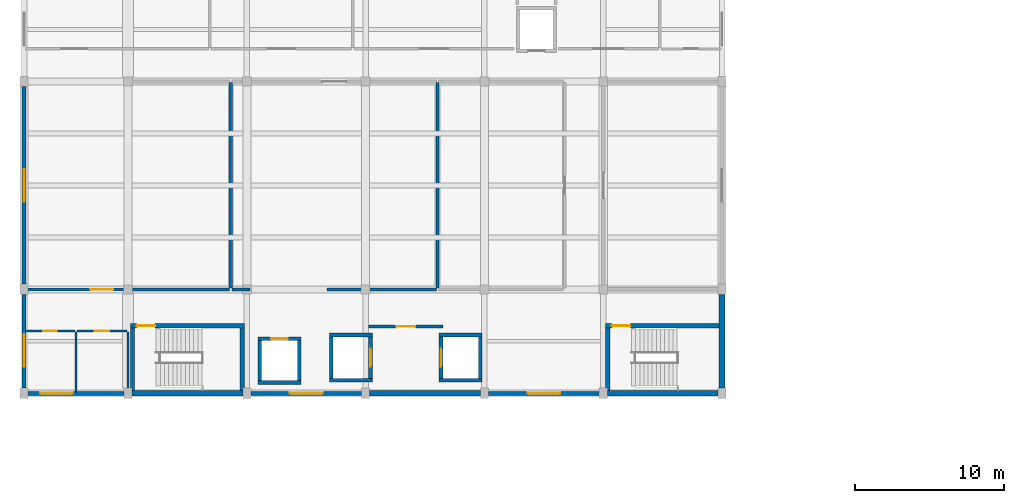
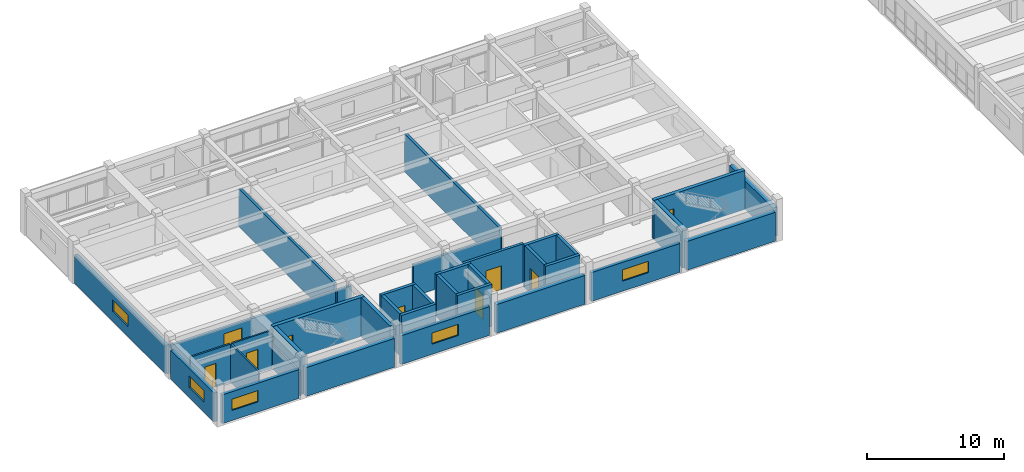
# One storey, part 10 of 17: 36 walls, 9 doors, 5 windows, 14 openings.
"""IFC4 building model written with IfcOpenShell, lengths in metres."""

from ifc_helpers import new_model, si_unit, direction, frame, frame_2d, origin, place, context, subcontext, project, spatial, rectangle, extrude, material, layer, layer_set, type_object, element, fill, save


model = new_model("IFC4")

# Units and contexts
model_context = context("Model", 3, precision=1e-05, world=origin(), true_north=direction((0.0, 1.0)))
body_context = subcontext(model_context, "Body", "Model", "MODEL_VIEW")
ifc_project = project(units=[si_unit("LENGTHUNIT", "METRE"), si_unit("AREAUNIT", "SQUARE_METRE"), si_unit("VOLUMEUNIT", "CUBIC_METRE"), si_unit("PLANEANGLEUNIT", "RADIAN"), si_unit("MASSUNIT", "GRAM", prefix="KILO")], contexts=[model_context])

# Site, building, storey
site_placement = place(None, origin())
site = spatial("IfcSite", under=ifc_project, at=site_placement, CompositionType="ELEMENT")
building_placement = place(site_placement, origin())
building = spatial("IfcBuilding", under=site, at=building_placement, Name="Naurynzar Civic Courthouse", CompositionType="ELEMENT")
storey_placement = place(building_placement, frame((0.0, 0.0, 29.550048828125)))
storey = spatial("IfcBuildingStorey", under=building, at=storey_placement, Name="L08", CompositionType="ELEMENT", Elevation=29.550048828125)

# Wall, opening, door
ifc_material_1 = material(Name="Acoustic Double-Stud Gypsum Partition")
ifc_layer_1 = layer(ifc_material_1, 0.2099609375)
ifc_layer_set_1 = layer_set([ifc_layer_1], Name="WL-ACOUSTIC-210")
wall_type_1 = type_object("IfcWallType", Name="WL-ACOUSTIC-210", PredefinedType="PARTITIONING", material=ifc_layer_set_1)
wall_1_placement = place(storey_placement, frame((62.080078125, 51.0, 0.0), z_axis=(0.0, 0.0, 1.0), x_axis=(1.0, 0.0, 0.0)))
wall_1 = element("IfcWall", 1, at=wall_1_placement, inside=storey, type_object=wall_type_1, Name="V2 interior partition L08.772", PredefinedType="PARTITIONING", context=body_context, shape_type="SweptSolid", body=[
    extrude(rectangle(XDim=13.760009765625, YDim=0.2099609375, at=frame_2d((6.8798828125, 0.0))), origin(), (0.0, 0.0, 1.0), 2.780029296875),
])
opening_1_placement = place(wall_1_placement, frame((4.37841796875, 0.0, 0.0)))
opening_1 = element("IfcOpeningElement", 2, at=opening_1_placement, cuts=wall_1, Name="Opening D-189", PredefinedType="OPENING", context=body_context, shape_type="SweptSolid", body=[
    extrude(rectangle(XDim=1.550048828125, YDim=2.25, at=frame_2d((0.77490234375, 1.125))), frame((0.0, 0.114990234375, 0.0), z_axis=(0.0, -1.0, 0.0), x_axis=(1.0, 0.0, 0.0)), (0.0, 0.0, 1.0), 0.22998046875),
])
ifc_material_2 = material(Name="Acoustic Oak Timber Grade A", Category="wood")
door_type_1 = type_object("IfcDoorType", Name="DR-SUITE-1550x2250", OperationType="DOUBLE_DOOR_SINGLE_SWING", PredefinedType="DOOR", material=ifc_material_2)
door_1_placement = place(opening_1_placement, origin())
door_1 = element("IfcDoor", 3, at=door_1_placement, inside=storey, type_object=door_type_1, Name="Interior door D-189 (Intellectual Property Courtroom 8A)", OperationType="DOUBLE_DOOR_SINGLE_SWING", OverallHeight=2.25, OverallWidth=1.550048828125, PredefinedType="DOOR", context=body_context, shape_type="SweptSolid", body=[
    extrude(rectangle(XDim=1.550048828125, YDim=2.25, at=frame_2d((0.77490234375, 1.125))), frame((0.0, 0.02490234375, 0.0), z_axis=(0.0, -1.0, 0.0), x_axis=(1.0, 0.0, 0.0)), (0.0, 0.0, 1.0), 0.050048828125),
])
fill(opening_1, door_1)

# Walls
ifc_material_3 = material(Name="Acoustic Double-Stud Gypsum Partition")
ifc_layer_2 = layer(ifc_material_3, 0.215087890625)
ifc_layer_set_2 = layer_set([ifc_layer_2], Name="WL-ACOUSTIC-215")
wall_type_2 = type_object("IfcWallType", Name="WL-ACOUSTIC-215", PredefinedType="PARTITIONING", material=ifc_layer_set_2)
wall_2_placement = place(storey_placement, frame((76.0, 51.0, 0.0), z_axis=(0.0, 0.0, 1.0), x_axis=(1.0, 0.0, 0.0)))
element("IfcWall", 4, at=wall_2_placement, inside=storey, type_object=wall_type_2, Name="V2 interior partition L08.773", PredefinedType="PARTITIONING", context=body_context, shape_type="SweptSolid", body=[
    extrude(rectangle(XDim=1.199951171875, YDim=0.215087890625, at=frame_2d((0.60009765625, 0.0))), origin(), (0.0, 0.0, 1.0), 2.780029296875),
])
wall_3_placement = place(storey_placement, frame((82.39990234375, 51.0, 0.0), z_axis=(0.0, 0.0, 1.0), x_axis=(1.0, 0.0, 0.0)))
element("IfcWall", 5, at=wall_3_placement, inside=storey, type_object=wall_type_2, Name="V2 interior partition L08.774", PredefinedType="PARTITIONING", context=body_context, shape_type="SweptSolid", body=[
    extrude(rectangle(XDim=7.360107421875, YDim=0.215087890625, at=frame_2d((3.68017578125, 0.0))), origin(), (0.0, 0.0, 1.0), 2.780029296875),
])
for number, where, z_axis, x_axis, name in (
    (6, (75.919921875, 51.080078125, 0.0), (0.0, 0.0, 1.0), (0.0, 1.0, 0.0), "V2 interior partition L08.792"),
    (7, (89.840087890625, 51.080078125, 0.0), (0.0, 0.0, 1.0), (0.0, 1.0, 0.0), "V2 interior partition L08.794"),
):
    element("IfcWall", number, at=place(storey_placement, frame(where, z_axis=z_axis, x_axis=x_axis)), inside=storey, type_object=wall_type_2, Name=name, PredefinedType="PARTITIONING", context=body_context, shape_type="SweptSolid", body=[
        extrude(rectangle(XDim=13.83984375, YDim=0.215087890625, at=frame_2d((6.919921875, 0.0))), origin(), (0.0, 0.0, 1.0), 3.389892578125),
    ])

# Wall, opening, door
ifc_material_4 = material(Name="Concrete C40/50", Category="concrete")
ifc_layer_3 = layer(ifc_material_4, 0.300048828125)
ifc_layer_set_3 = layer_set([ifc_layer_3], Name="WL-CORE-300")
wall_type_3 = type_object("IfcWallType", Name="WL-CORE-300", PredefinedType="SHEAR", material=ifc_layer_set_3)
wall_4_placement = place(storey_placement, frame((76.85009765625, 48.550048828125, 0.0), z_axis=(0.0, 0.0, 1.0), x_axis=(-1.0, 0.0, 0.0)))
wall_4 = element("IfcWall", 8, at=wall_4_placement, inside=storey, type_object=wall_type_3, Name="Stair ST-V2A enclosure wall north L08", PredefinedType="SHEAR", context=body_context, shape_type="SweptSolid", body=[
    extrude(rectangle(XDim=7.7001953125, YDim=0.300048828125, at=frame_2d((3.85009765625, 0.0))), origin(), (0.0, 0.0, 1.0), 3.469970703125),
])
opening_2_placement = place(wall_4_placement, frame((6.02490234375, 0.0, 0.0)))
opening_2 = element("IfcOpeningElement", 9, at=opening_2_placement, cuts=wall_4, Name="Opening SD-031", PredefinedType="OPENING", context=body_context, shape_type="SweptSolid", body=[
    extrude(rectangle(XDim=1.25, YDim=2.14990234375, at=frame_2d((0.625, 1.074951171875))), frame((0.0, 0.159912109375, 0.0), z_axis=(0.0, -1.0, 0.0), x_axis=(1.0, 0.0, 0.0)), (0.0, 0.0, 1.0), 0.320068359375),
])
ifc_material_5 = material(Name="Powder-Coated Galvanised Steel", Category="steel")
door_type_2 = type_object("IfcDoorType", Name="DR-STAIR-1250x2150", OperationType="NOTDEFINED", PredefinedType="DOOR", material=ifc_material_5)
door_2_placement = place(opening_2_placement, origin())
door_2 = element("IfcDoor", 10, at=door_2_placement, inside=storey, type_object=door_type_2, Name="Stair ST-V2A fire door L08", OperationType="SINGLE_SWING_LEFT", OverallHeight=2.14990234375, OverallWidth=1.25, PredefinedType="DOOR", context=body_context, shape_type="SweptSolid", body=[
    extrude(rectangle(XDim=1.25, YDim=2.14990234375, at=frame_2d((0.625, 1.074951171875))), frame((0.0, 0.02490234375, 0.0), z_axis=(0.0, -1.0, 0.0), x_axis=(1.0, 0.0, 0.0)), (0.0, 0.0, 1.0), 0.050048828125),
])
fill(opening_2, door_2)

# Walls
for number, where, z_axis, x_axis, name in (
    (11, (69.300048828125, 48.39501953125, 0.0), (0.0, 0.0, 1.0), (0.0, -1.0, 0.0), "Stair ST-V2A enclosure wall west L08"),
    (12, (76.699951171875, 44.195068359375, 0.0), (0.0, 0.0, 1.0), (0.0, 1.0, 0.0), "Stair ST-V2A enclosure wall east L08"),
):
    element("IfcWall", number, at=place(storey_placement, frame(where, z_axis=z_axis, x_axis=x_axis)), inside=storey, type_object=wall_type_3, Name=name, PredefinedType="SHEAR", context=body_context, shape_type="SweptSolid", body=[
        extrude(rectangle(XDim=4.199951171875, YDim=0.300048828125, at=frame_2d((2.10009765625, 0.0))), origin(), (0.0, 0.0, 1.0), 3.469970703125),
    ])

# Wall, opening, door
wall_5_placement = place(storey_placement, frame((108.804931640625, 48.550048828125, 0.0), z_axis=(0.0, 0.0, 1.0), x_axis=(-1.0, 0.0, 0.0)))
wall_5 = element("IfcWall", 13, at=wall_5_placement, inside=storey, type_object=wall_type_3, Name="Stair ST-V2B enclosure wall north L08", PredefinedType="SHEAR", context=body_context, shape_type="SweptSolid", body=[
    extrude(rectangle(XDim=7.655029296875, YDim=0.300048828125, at=frame_2d((3.82763671875, 0.0))), origin(), (0.0, 0.0, 1.0), 3.469970703125),
])
opening_3_placement = place(wall_5_placement, frame((5.97998046875, 0.0, 0.0)))
opening_3 = element("IfcOpeningElement", 14, at=opening_3_placement, cuts=wall_5, Name="Opening SD-042", PredefinedType="OPENING", context=body_context, shape_type="SweptSolid", body=[
    extrude(rectangle(XDim=1.25, YDim=2.14990234375, at=frame_2d((0.625, 1.074951171875))), frame((0.0, 0.159912109375, 0.0), z_axis=(0.0, -1.0, 0.0), x_axis=(1.0, 0.0, 0.0)), (0.0, 0.0, 1.0), 0.320068359375),
])
door_3_placement = place(opening_3_placement, origin())
door_3 = element("IfcDoor", 15, at=door_3_placement, inside=storey, type_object=door_type_2, Name="Stair ST-V2B fire door L08", OperationType="SINGLE_SWING_RIGHT", OverallHeight=2.14990234375, OverallWidth=1.25, PredefinedType="DOOR", context=body_context, shape_type="SweptSolid", body=[
    extrude(rectangle(XDim=1.25, YDim=2.14990234375, at=frame_2d((0.625, 1.074951171875))), frame((0.0, 0.02490234375, 0.0), z_axis=(0.0, -1.0, 0.0), x_axis=(1.0, 0.0, 0.0)), (0.0, 0.0, 1.0), 0.050048828125),
])
fill(opening_3, door_3)

# Wall
wall_6_placement = place(storey_placement, frame((101.300048828125, 48.39501953125, 0.0), z_axis=(0.0, 0.0, 1.0), x_axis=(0.0, -1.0, 0.0)))
element("IfcWall", 16, at=wall_6_placement, inside=storey, type_object=wall_type_3, Name="Stair ST-V2B enclosure wall west L08", PredefinedType="SHEAR", context=body_context, shape_type="SweptSolid", body=[
    extrude(rectangle(XDim=4.199951171875, YDim=0.300048828125, at=frame_2d((2.10009765625, 0.0))), origin(), (0.0, 0.0, 1.0), 3.469970703125),
])

# Wall, opening, window
ifc_material_6 = material(Name="Precast concrete C40/50", Category="concrete")
ifc_layer_4 = layer(ifc_material_6, 0.280029296875)
ifc_layer_set_4 = layer_set([ifc_layer_4], Name="WL-EXT-280")
wall_type_4 = type_object("IfcWallType", Name="WL-EXT-280", PredefinedType="SOLIDWALL", material=ifc_layer_set_4)
wall_7_placement = place(storey_placement, frame((62.0, 44.35009765625, 0.0), z_axis=(0.0, 0.0, 1.0), x_axis=(0.0, 1.0, 0.0)))
wall_7 = element("IfcWall", 17, at=wall_7_placement, inside=storey, type_object=wall_type_4, Name="V2 exterior wall west L08.1.1", PredefinedType="SOLIDWALL", context=body_context, shape_type="SweptSolid", body=[
    extrude(rectangle(XDim=6.2998046875, YDim=0.280029296875, at=frame_2d((3.14990234375, 0.0))), origin(), (0.0, 0.0, 1.0), 2.56005859375),
])
opening_4_placement = place(wall_7_placement, frame((1.429931640625, 0.0, 0.89990234375)))
opening_4 = element("IfcOpeningElement", 18, at=opening_4_placement, cuts=wall_7, Name="Opening WN-18", PredefinedType="OPENING", context=body_context, shape_type="SweptSolid", body=[
    extrude(rectangle(XDim=2.199951171875, YDim=1.0, at=frame_2d((1.10009765625, 0.5))), frame((0.0, 0.14990234375, 0.0), z_axis=(0.0, -1.0, 0.0), x_axis=(1.0, 0.0, 0.0)), (0.0, 0.0, 1.0), 0.300048828125),
])
ifc_material_7 = material(Name="Tempered Laminated Low-E Glass", Category="glass")
window_type = type_object("IfcWindowType", Name="WIN-CLER-2200x1000", PartitioningType="DOUBLE_PANEL_VERTICAL", PredefinedType="WINDOW", material=ifc_material_7)
window_1_placement = place(opening_4_placement, origin())
window_1 = element("IfcWindow", 19, at=window_1_placement, inside=storey, type_object=window_type, Name="V2 window 114 L08", OverallHeight=1.0, OverallWidth=2.199951171875, PartitioningType="SINGLE_PANEL", PredefinedType="WINDOW", context=body_context, shape_type="SweptSolid", body=[
    extrude(rectangle(XDim=2.199951171875, YDim=1.0, at=frame_2d((1.10009765625, 0.5))), frame((0.0, 0.030029296875, 0.0), z_axis=(0.0, -1.0, 0.0), x_axis=(1.0, 0.0, 0.0)), (0.0, 0.0, 1.0), 0.06005859375),
])
fill(opening_4, window_1)

wall_8_placement = place(storey_placement, frame((62.0, 51.35009765625, 0.0), z_axis=(0.0, 0.0, 1.0), x_axis=(0.0, 1.0, 0.0)))
wall_8 = element("IfcWall", 20, at=wall_8_placement, inside=storey, type_object=wall_type_4, Name="V2 exterior wall west L08.2.1", PredefinedType="SOLIDWALL", context=body_context, shape_type="SweptSolid", body=[
    extrude(rectangle(XDim=13.2998046875, YDim=0.280029296875, at=frame_2d((6.64990234375, 0.0))), origin(), (0.0, 0.0, 1.0), 2.56005859375),
])
opening_5_placement = place(wall_8_placement, frame((5.550048828125, 0.0, 0.89990234375)))
opening_5 = element("IfcOpeningElement", 21, at=opening_5_placement, cuts=wall_8, Name="Opening WN-18", PredefinedType="OPENING", context=body_context, shape_type="SweptSolid", body=[
    extrude(rectangle(XDim=2.199951171875, YDim=1.0, at=frame_2d((1.10009765625, 0.5))), frame((0.0, 0.14990234375, 0.0), z_axis=(0.0, -1.0, 0.0), x_axis=(1.0, 0.0, 0.0)), (0.0, 0.0, 1.0), 0.300048828125),
])
window_2_placement = place(opening_5_placement, origin())
window_2 = element("IfcWindow", 22, at=window_2_placement, inside=storey, type_object=window_type, Name="V2 window 115 L08", OverallHeight=1.0, OverallWidth=2.199951171875, PartitioningType="SINGLE_PANEL", PredefinedType="WINDOW", context=body_context, shape_type="SweptSolid", body=[
    extrude(rectangle(XDim=2.199951171875, YDim=1.0, at=frame_2d((1.10009765625, 0.5))), frame((0.0, 0.030029296875, 0.0), z_axis=(0.0, -1.0, 0.0), x_axis=(1.0, 0.0, 0.0)), (0.0, 0.0, 1.0), 0.06005859375),
])
fill(opening_5, window_2)

wall_9_placement = place(storey_placement, frame((100.72509765625, 44.0, 0.0), z_axis=(0.0, 0.0, 1.0), x_axis=(-1.0, 0.0, 0.0)))
wall_9 = element("IfcWall", 23, at=wall_9_placement, inside=storey, type_object=wall_type_4, Name="V2 exterior wall south L08.2.1", PredefinedType="SOLIDWALL", context=body_context, shape_type="SweptSolid", body=[
    extrude(rectangle(XDim=7.4501953125, YDim=0.280029296875, at=frame_2d((3.72509765625, 0.0))), origin(), (0.0, 0.0, 1.0), 2.56005859375),
])
opening_6_placement = place(wall_9_placement, frame((2.625, 0.0, 0.89990234375)))
opening_6 = element("IfcOpeningElement", 24, at=opening_6_placement, cuts=wall_9, Name="Opening WN-18", PredefinedType="OPENING", context=body_context, shape_type="SweptSolid", body=[
    extrude(rectangle(XDim=2.199951171875, YDim=1.0, at=frame_2d((1.10009765625, 0.5))), frame((0.0, 0.14990234375, 0.0), z_axis=(0.0, -1.0, 0.0), x_axis=(1.0, 0.0, 0.0)), (0.0, 0.0, 1.0), 0.300048828125),
])
window_3_placement = place(opening_6_placement, origin())
window_3 = element("IfcWindow", 25, at=window_3_placement, inside=storey, type_object=window_type, Name="V2 window 122 L08", OverallHeight=1.0, OverallWidth=2.199951171875, PartitioningType="SINGLE_PANEL", PredefinedType="WINDOW", context=body_context, shape_type="SweptSolid", body=[
    extrude(rectangle(XDim=2.199951171875, YDim=1.0, at=frame_2d((1.10009765625, 0.5))), frame((0.0, 0.030029296875, 0.0), z_axis=(0.0, -1.0, 0.0), x_axis=(1.0, 0.0, 0.0)), (0.0, 0.0, 1.0), 0.06005859375),
])
fill(opening_6, window_3)

wall_10_placement = place(storey_placement, frame((84.72509765625, 44.0, 0.0), z_axis=(0.0, 0.0, 1.0), x_axis=(-1.0, 0.0, 0.0)))
wall_10 = element("IfcWall", 26, at=wall_10_placement, inside=storey, type_object=wall_type_4, Name="V2 exterior wall south L08.4.1", PredefinedType="SOLIDWALL", context=body_context, shape_type="SweptSolid", body=[
    extrude(rectangle(XDim=7.4501953125, YDim=0.280029296875, at=frame_2d((3.72509765625, 0.0))), origin(), (0.0, 0.0, 1.0), 2.56005859375),
])
opening_7_placement = place(wall_10_placement, frame((2.625, 0.0, 0.89990234375)))
opening_7 = element("IfcOpeningElement", 27, at=opening_7_placement, cuts=wall_10, Name="Opening WN-18", PredefinedType="OPENING", context=body_context, shape_type="SweptSolid", body=[
    extrude(rectangle(XDim=2.199951171875, YDim=1.0, at=frame_2d((1.10009765625, 0.5))), frame((0.0, 0.14990234375, 0.0), z_axis=(0.0, -1.0, 0.0), x_axis=(1.0, 0.0, 0.0)), (0.0, 0.0, 1.0), 0.300048828125),
])
window_4_placement = place(opening_7_placement, origin())
window_4 = element("IfcWindow", 28, at=window_4_placement, inside=storey, type_object=window_type, Name="V2 window 123 L08", OverallHeight=1.0, OverallWidth=2.199951171875, PartitioningType="SINGLE_PANEL", PredefinedType="WINDOW", context=body_context, shape_type="SweptSolid", body=[
    extrude(rectangle(XDim=2.199951171875, YDim=1.0, at=frame_2d((1.10009765625, 0.5))), frame((0.0, 0.030029296875, 0.0), z_axis=(0.0, -1.0, 0.0), x_axis=(1.0, 0.0, 0.0)), (0.0, 0.0, 1.0), 0.06005859375),
])
fill(opening_7, window_4)

wall_11_placement = place(storey_placement, frame((68.72509765625, 44.0, 0.0), z_axis=(0.0, 0.0, 1.0), x_axis=(-1.0, 0.0, 0.0)))
wall_11 = element("IfcWall", 29, at=wall_11_placement, inside=storey, type_object=wall_type_4, Name="V2 exterior wall south L08.6.1", PredefinedType="SOLIDWALL", context=body_context, shape_type="SweptSolid", body=[
    extrude(rectangle(XDim=6.4501953125, YDim=0.280029296875, at=frame_2d((3.22509765625, 0.0))), origin(), (0.0, 0.0, 1.0), 2.56005859375),
])
opening_8_placement = place(wall_11_placement, frame((3.445068359375, 0.0, 0.89990234375)))
opening_8 = element("IfcOpeningElement", 30, at=opening_8_placement, cuts=wall_11, Name="Opening WN-18", PredefinedType="OPENING", context=body_context, shape_type="SweptSolid", body=[
    extrude(rectangle(XDim=2.199951171875, YDim=1.0, at=frame_2d((1.10009765625, 0.5))), frame((0.0, 0.14990234375, 0.0), z_axis=(0.0, -1.0, 0.0), x_axis=(1.0, 0.0, 0.0)), (0.0, 0.0, 1.0), 0.300048828125),
])
window_5_placement = place(opening_8_placement, origin())
window_5 = element("IfcWindow", 31, at=window_5_placement, inside=storey, type_object=window_type, Name="V2 window 124 L08", OverallHeight=1.0, OverallWidth=2.199951171875, PartitioningType="SINGLE_PANEL", PredefinedType="WINDOW", context=body_context, shape_type="SweptSolid", body=[
    extrude(rectangle(XDim=2.199951171875, YDim=1.0, at=frame_2d((1.10009765625, 0.5))), frame((0.0, 0.030029296875, 0.0), z_axis=(0.0, -1.0, 0.0), x_axis=(1.0, 0.0, 0.0)), (0.0, 0.0, 1.0), 0.06005859375),
])
fill(opening_8, window_5)

# Wall, opening, door
ifc_material_8 = material(Name="Concrete C35/45", Category="concrete")
ifc_layer_5 = layer(ifc_material_8, 0.219970703125)
ifc_layer_set_5 = layer_set([ifc_layer_5], Name="WL-FFL-220")
wall_type_5 = type_object("IfcWallType", Name="WL-FFL-220", PredefinedType="SOLIDWALL", material=ifc_layer_set_5)
wall_12_placement = place(storey_placement, frame((85.179931640625, 48.510009765625, 0.0), z_axis=(0.0, 0.0, 1.0), x_axis=(1.0, 0.0, 0.0)))
wall_12 = element("IfcWall", 32, at=wall_12_placement, inside=storey, type_object=wall_type_5, Name="Firefighting lift lobby EI 120 wall CORE-V2 L08 north", PredefinedType="SOLIDWALL", context=body_context, shape_type="SweptSolid", body=[
    extrude(rectangle(XDim=5.0400390625, YDim=0.219970703125, at=frame_2d((2.52001953125, 0.0))), origin(), (0.0, 0.0, 1.0), 3.469970703125),
])
opening_9_placement = place(wall_12_placement, frame((1.8701171875, 0.0, 0.0)))
opening_9 = element("IfcOpeningElement", 33, at=opening_9_placement, cuts=wall_12, Name="Opening FD-09", PredefinedType="OPENING", context=body_context, shape_type="SweptSolid", body=[
    extrude(rectangle(XDim=1.300048828125, YDim=2.14990234375, at=frame_2d((0.64990234375, 1.074951171875))), frame((0.0, 0.119873046875, 0.0), z_axis=(0.0, -1.0, 0.0), x_axis=(1.0, 0.0, 0.0)), (0.0, 0.0, 1.0), 0.239990234375),
])
ifc_material_9 = material(Name="Powder-Coated Galvanised Steel", Category="steel")
door_type_3 = type_object("IfcDoorType", Name="DR-FFL-1300x2150", OperationType="NOTDEFINED", PredefinedType="DOOR", material=ifc_material_9)
door_4_placement = place(opening_9_placement, origin())
door_4 = element("IfcDoor", 34, at=door_4_placement, inside=storey, type_object=door_type_3, Name="Firefighting lift lobby door FD-09", OperationType="SINGLE_SWING_LEFT", OverallHeight=2.14990234375, OverallWidth=1.300048828125, PredefinedType="DOOR", context=body_context, shape_type="SweptSolid", body=[
    extrude(rectangle(XDim=1.300048828125, YDim=2.14990234375, at=frame_2d((0.64990234375, 1.074951171875))), frame((0.0, 0.02490234375, 0.0), z_axis=(0.0, -1.0, 0.0), x_axis=(1.0, 0.0, 0.0)), (0.0, 0.0, 1.0), 0.050048828125),
])
fill(opening_9, door_4)

ifc_material_10 = material(Name="Moisture-Resistant Plumbing Partition")
ifc_layer_6 = layer(ifc_material_10, 0.139892578125)
ifc_layer_set_6 = layer_set([ifc_layer_6], Name="WL-PART-WC-140")
wall_type_6 = type_object("IfcWallType", Name="WL-PART-WC-140", PredefinedType="PLUMBINGWALL", material=ifc_layer_set_6)
wall_13_placement = place(storey_placement, frame((62.080078125, 48.199951171875, 0.0), z_axis=(0.0, 0.0, 1.0), x_axis=(1.0, 0.0, 0.0)))
wall_13 = element("IfcWall", 35, at=wall_13_placement, inside=storey, type_object=wall_type_6, Name="V2 interior partition L08.769", PredefinedType="PLUMBINGWALL", context=body_context, shape_type="SweptSolid", body=[
    extrude(rectangle(XDim=3.33984375, YDim=0.139892578125, at=frame_2d((1.669921875, 0.0))), origin(), (0.0, 0.0, 1.0), 3.389892578125),
])
opening_10_placement = place(wall_13_placement, frame((1.2099609375, 0.0, 0.0)))
opening_10 = element("IfcOpeningElement", 36, at=opening_10_placement, cuts=wall_13, Name="Opening D-187", PredefinedType="OPENING", context=body_context, shape_type="SweptSolid", body=[
    extrude(rectangle(XDim=0.919921875, YDim=2.10009765625, at=frame_2d((0.4599609375, 1.050048828125))), frame((0.0, 0.079833984375, 0.0), z_axis=(0.0, -1.0, 0.0), x_axis=(1.0, 0.0, 0.0)), (0.0, 0.0, 1.0), 0.159912109375),
])
ifc_material_11 = material(Name="Acoustic Oak Timber Grade A", Category="wood")
door_type_4 = type_object("IfcDoorType", Name="DR-WC-STD-920x2100", OperationType="NOTDEFINED", PredefinedType="DOOR", material=ifc_material_11)
door_5_placement = place(opening_10_placement, origin())
door_5 = element("IfcDoor", 37, at=door_5_placement, inside=storey, type_object=door_type_4, Name="Interior door D-187 (Public WC V2)", OperationType="SINGLE_SWING_LEFT", OverallHeight=2.10009765625, OverallWidth=0.919921875, PredefinedType="DOOR", context=body_context, shape_type="SweptSolid", body=[
    extrude(rectangle(XDim=0.919921875, YDim=2.10009765625, at=frame_2d((0.4599609375, 1.050048828125))), frame((0.0, 0.02490234375, 0.0), z_axis=(0.0, -1.0, 0.0), x_axis=(1.0, 0.0, 0.0)), (0.0, 0.0, 1.0), 0.050048828125),
])
fill(opening_10, door_5)

wall_14_placement = place(storey_placement, frame((65.580078125, 48.199951171875, 0.0), z_axis=(0.0, 0.0, 1.0), x_axis=(1.0, 0.0, 0.0)))
wall_14 = element("IfcWall", 38, at=wall_14_placement, inside=storey, type_object=wall_type_6, Name="V2 interior partition L08.770", PredefinedType="PLUMBINGWALL", context=body_context, shape_type="SweptSolid", body=[
    extrude(rectangle(XDim=3.33984375, YDim=0.139892578125, at=frame_2d((1.669921875, 0.0))), origin(), (0.0, 0.0, 1.0), 3.389892578125),
])
opening_11_placement = place(wall_14_placement, frame((1.18994140625, 0.0, 0.0)))
opening_11 = element("IfcOpeningElement", 39, at=opening_11_placement, cuts=wall_14, Name="Opening D-188", PredefinedType="OPENING", context=body_context, shape_type="SweptSolid", body=[
    extrude(rectangle(XDim=0.9599609375, YDim=2.10009765625, at=frame_2d((0.47998046875, 1.050048828125))), frame((0.0, 0.079833984375, 0.0), z_axis=(0.0, -1.0, 0.0), x_axis=(1.0, 0.0, 0.0)), (0.0, 0.0, 1.0), 0.159912109375),
])
ifc_material_12 = material(Name="Acoustic Oak Timber Grade A", Category="wood")
door_type_5 = type_object("IfcDoorType", Name="DR-WC-ACC-960x2100", OperationType="NOTDEFINED", PredefinedType="DOOR", material=ifc_material_12)
door_6_placement = place(opening_11_placement, origin())
door_6 = element("IfcDoor", 40, at=door_6_placement, inside=storey, type_object=door_type_5, Name="Interior door D-188 (Accessible WC V2)", OperationType="SINGLE_SWING_RIGHT", OverallHeight=2.10009765625, OverallWidth=0.9599609375, PredefinedType="DOOR", context=body_context, shape_type="SweptSolid", body=[
    extrude(rectangle(XDim=0.9599609375, YDim=2.10009765625, at=frame_2d((0.47998046875, 1.050048828125))), frame((0.0, 0.02490234375, 0.0), z_axis=(0.0, -1.0, 0.0), x_axis=(1.0, 0.0, 0.0)), (0.0, 0.0, 1.0), 0.050048828125),
])
fill(opening_11, door_6)

# Walls
wall_15_placement = place(storey_placement, frame((65.5, 44.080078125, 0.0), z_axis=(0.0, 0.0, 1.0), x_axis=(0.0, 1.0, 0.0)))
element("IfcWall", 41, at=wall_15_placement, inside=storey, type_object=wall_type_6, Name="V2 interior partition L08.789", PredefinedType="PLUMBINGWALL", context=body_context, shape_type="SweptSolid", body=[
    extrude(rectangle(XDim=4.0400390625, YDim=0.139892578125, at=frame_2d((2.02001953125, 0.0))), origin(), (0.0, 0.0, 1.0), 3.389892578125),
])
wall_16_placement = place(storey_placement, frame((69.0, 44.080078125, 0.0), z_axis=(0.0, 0.0, 1.0), x_axis=(0.0, 1.0, 0.0)))
element("IfcWall", 42, at=wall_16_placement, inside=storey, type_object=wall_type_6, Name="V2 interior partition L08.790", PredefinedType="PLUMBINGWALL", context=body_context, shape_type="SweptSolid", body=[
    extrude(rectangle(XDim=4.0400390625, YDim=0.139892578125, at=frame_2d((2.02001953125, 0.0))), origin(), (0.0, 0.0, 1.0), 2.1298828125),
])
ifc_material_13 = material(Name="Concrete C40/50", Category="concrete")
ifc_layer_7 = layer(ifc_material_13, 0.3798828125)
ifc_layer_set_7 = layer_set([ifc_layer_7], Name="WL-RET-380")
wall_type_7 = type_object("IfcWallType", Name="WL-RET-380", PredefinedType="STANDARD", material=ifc_layer_set_7)
wall_17_placement = place(storey_placement, frame((109.0, 50.64990234375, 0.0), z_axis=(0.0, 0.0, 1.0), x_axis=(0.0, -1.0, 0.0)))
element("IfcWall", 43, at=wall_17_placement, inside=storey, type_object=wall_type_7, Name="V2 exterior wall east L08.3.1", PredefinedType="STANDARD", context=body_context, shape_type="SweptSolid", body=[
    extrude(rectangle(XDim=6.2998046875, YDim=0.3798828125, at=frame_2d((3.14990234375, 0.0))), origin(), (0.0, 0.0, 1.0), 2.56005859375),
])
for number, where, z_axis, x_axis, name in (
    (44, (108.72509765625, 44.0, 0.0), (0.0, 0.0, 1.0), (-1.0, 0.0, 0.0), "V2 exterior wall south L08.1.1"),
    (45, (92.72509765625, 44.0, 0.0), (0.0, 0.0, 1.0), (-1.0, 0.0, 0.0), "V2 exterior wall south L08.3.1"),
    (46, (76.72509765625, 44.0, 0.0), (0.0, 0.0, 1.0), (-1.0, 0.0, 0.0), "V2 exterior wall south L08.5.1"),
):
    element("IfcWall", number, at=place(storey_placement, frame(where, z_axis=z_axis, x_axis=x_axis)), inside=storey, type_object=wall_type_7, Name=name, PredefinedType="STANDARD", context=body_context, shape_type="SweptSolid", body=[
        extrude(rectangle(XDim=7.4501953125, YDim=0.3798828125, at=frame_2d((3.72509765625, 0.0))), origin(), (0.0, 0.0, 1.0), 2.56005859375),
    ])
ifc_material_14 = material(Name="Concrete C40/50", Category="concrete")
ifc_layer_8 = layer(ifc_material_14, 0.25)
ifc_layer_set_8 = layer_set([ifc_layer_8], Name="WL-SHAFT-250")
wall_type_8 = type_object("IfcWallType", Name="WL-SHAFT-250", PredefinedType="SHEAR", material=ifc_layer_set_8)
wall_18_placement = place(storey_placement, frame((77.75, 44.72509765625, 0.0), z_axis=(0.0, 0.0, 1.0), x_axis=(1.0, 0.0, 0.0)))
element("IfcWall", 47, at=wall_18_placement, inside=storey, type_object=wall_type_8, Name="Lift LP-03 shaft wall south L08", PredefinedType="SHEAR", context=body_context, shape_type="SweptSolid", body=[
    extrude(rectangle(XDim=2.89990234375, YDim=0.25, at=frame_2d((1.449951171875, 0.0))), origin(), (0.0, 0.0, 1.0), 3.75),
])

# Wall, opening, door
wall_19_placement = place(storey_placement, frame((80.64990234375, 47.675048828125, 0.0), z_axis=(0.0, 0.0, 1.0), x_axis=(-1.0, 0.0, 0.0)))
wall_19 = element("IfcWall", 48, at=wall_19_placement, inside=storey, type_object=wall_type_8, Name="Lift LP-03 shaft wall north L08", PredefinedType="SHEAR", context=body_context, shape_type="SweptSolid", body=[
    extrude(rectangle(XDim=2.89990234375, YDim=0.25, at=frame_2d((1.449951171875, 0.0))), origin(), (0.0, 0.0, 1.0), 3.75),
])
opening_12_placement = place(wall_19_placement, frame((0.89990234375, 0.0, 0.0)))
opening_12 = element("IfcOpeningElement", 49, at=opening_12_placement, cuts=wall_19, Name="Opening LD-025", PredefinedType="OPENING", context=body_context, shape_type="SweptSolid", body=[
    extrude(rectangle(XDim=1.10009765625, YDim=2.14990234375, at=frame_2d((0.550048828125, 1.074951171875))), frame((0.0, 0.135009765625, 0.0), z_axis=(0.0, -1.0, 0.0), x_axis=(1.0, 0.0, 0.0)), (0.0, 0.0, 1.0), 0.27001953125),
])
ifc_material_15 = material(Name="Brushed Stainless Steel 304", Category="steel")
door_type_6 = type_object("IfcDoorType", Name="DR-LIFT-SLIDE-1100x2150", OperationType="DOUBLE_DOOR_SLIDING", PredefinedType="DOOR", material=ifc_material_15)
door_7_placement = place(opening_12_placement, origin())
door_7 = element("IfcDoor", 50, at=door_7_placement, inside=storey, type_object=door_type_6, Name="Lift LP-03 sliding landing door L08", OperationType="DOUBLE_DOOR_SLIDING", OverallHeight=2.14990234375, OverallWidth=1.10009765625, PredefinedType="DOOR", context=body_context, shape_type="SweptSolid", body=[
    extrude(rectangle(XDim=1.10009765625, YDim=2.14990234375, at=frame_2d((0.550048828125, 1.074951171875))), frame((0.0, 0.02490234375, 0.0), z_axis=(0.0, -1.0, 0.0), x_axis=(1.0, 0.0, 0.0)), (0.0, 0.0, 1.0), 0.050048828125),
])
fill(opening_12, door_7)

# Walls
for number, where, z_axis, x_axis, name in (
    (51, (77.875, 47.544921875, 0.0), (0.0, 0.0, 1.0), (0.0, -1.0, 0.0), "Lift LP-03 shaft wall west L08"),
    (52, (80.52490234375, 44.85498046875, 0.0), (0.0, 0.0, 1.0), (0.0, 1.0, 0.0), "Lift LP-03 shaft wall east L08"),
):
    element("IfcWall", number, at=place(storey_placement, frame(where, z_axis=z_axis, x_axis=x_axis)), inside=storey, type_object=wall_type_8, Name=name, PredefinedType="SHEAR", context=body_context, shape_type="SweptSolid", body=[
        extrude(rectangle(XDim=2.68994140625, YDim=0.25, at=frame_2d((1.344970703125, 0.0))), origin(), (0.0, 0.0, 1.0), 3.75),
    ])
for number, where, z_axis, x_axis, name in (
    (53, (82.550048828125, 44.875, 0.0), (0.0, 0.0, 1.0), (1.0, 0.0, 0.0), "Lift FL-02 shaft wall south L08"),
    (54, (85.449951171875, 47.925048828125, 0.0), (0.0, 0.0, 1.0), (-1.0, 0.0, 0.0), "Lift FL-02 shaft wall north L08"),
):
    element("IfcWall", number, at=place(storey_placement, frame(where, z_axis=z_axis, x_axis=x_axis)), inside=storey, type_object=wall_type_8, Name=name, PredefinedType="SHEAR", context=body_context, shape_type="SweptSolid", body=[
        extrude(rectangle(XDim=2.89990234375, YDim=0.25, at=frame_2d((1.449951171875, 0.0))), origin(), (0.0, 0.0, 1.0), 3.75),
    ])
wall_20_placement = place(storey_placement, frame((82.675048828125, 47.794921875, 0.0), z_axis=(0.0, 0.0, 1.0), x_axis=(0.0, -1.0, 0.0)))
element("IfcWall", 55, at=wall_20_placement, inside=storey, type_object=wall_type_8, Name="Lift FL-02 shaft wall west L08", PredefinedType="SHEAR", context=body_context, shape_type="SweptSolid", body=[
    extrude(rectangle(XDim=2.7900390625, YDim=0.25, at=frame_2d((1.39501953125, 0.0))), origin(), (0.0, 0.0, 1.0), 3.75),
])

# Wall, opening, door
wall_21_placement = place(storey_placement, frame((85.324951171875, 45.0048828125, 0.0), z_axis=(0.0, 0.0, 1.0), x_axis=(0.0, 1.0, 0.0)))
wall_21 = element("IfcWall", 56, at=wall_21_placement, inside=storey, type_object=wall_type_8, Name="Lift FL-02 shaft wall east L08", PredefinedType="SHEAR", context=body_context, shape_type="SweptSolid", body=[
    extrude(rectangle(XDim=2.7900390625, YDim=0.25, at=frame_2d((1.39501953125, 0.0))), origin(), (0.0, 0.0, 1.0), 3.75),
])
opening_13_placement = place(wall_21_placement, frame((0.794921875, 0.0, 0.0)))
opening_13 = element("IfcOpeningElement", 57, at=opening_13_placement, cuts=wall_21, Name="Opening LD-036", PredefinedType="OPENING", context=body_context, shape_type="SweptSolid", body=[
    extrude(rectangle(XDim=1.199951171875, YDim=2.199951171875, at=frame_2d((0.60009765625, 1.10009765625))), frame((0.0, 0.135009765625, 0.0), z_axis=(0.0, -1.0, 0.0), x_axis=(1.0, 0.0, 0.0)), (0.0, 0.0, 1.0), 0.27001953125),
])
ifc_material_16 = material(Name="Brushed Stainless Steel 304", Category="steel")
door_type_7 = type_object("IfcDoorType", Name="DR-LIFT-FF-1200x2200", OperationType="DOUBLE_DOOR_SLIDING", PredefinedType="DOOR", material=ifc_material_16)
door_8_placement = place(opening_13_placement, origin())
door_8 = element("IfcDoor", 58, at=door_8_placement, inside=storey, type_object=door_type_7, Name="Lift FL-02 sliding landing door L08", OperationType="DOUBLE_DOOR_SLIDING", OverallHeight=2.199951171875, OverallWidth=1.199951171875, PredefinedType="DOOR", context=body_context, shape_type="SweptSolid", body=[
    extrude(rectangle(XDim=1.199951171875, YDim=2.199951171875, at=frame_2d((0.60009765625, 1.10009765625))), frame((0.0, 0.02490234375, 0.0), z_axis=(0.0, -1.0, 0.0), x_axis=(1.0, 0.0, 0.0)), (0.0, 0.0, 1.0), 0.050048828125),
])
fill(opening_13, door_8)

# Walls
for number, where, z_axis, x_axis, name in (
    (59, (89.949951171875, 44.875, 0.0), (0.0, 0.0, 1.0), (1.0, 0.0, 0.0), "Lift FL-01 shaft wall south L08"),
    (60, (92.85009765625, 47.925048828125, 0.0), (0.0, 0.0, 1.0), (-1.0, 0.0, 0.0), "Lift FL-01 shaft wall north L08"),
):
    element("IfcWall", number, at=place(storey_placement, frame(where, z_axis=z_axis, x_axis=x_axis)), inside=storey, type_object=wall_type_8, Name=name, PredefinedType="SHEAR", context=body_context, shape_type="SweptSolid", body=[
        extrude(rectangle(XDim=2.900146484375, YDim=0.25, at=frame_2d((1.4501953125, 0.0))), origin(), (0.0, 0.0, 1.0), 3.75),
    ])

# Wall, opening, door
wall_22_placement = place(storey_placement, frame((90.074951171875, 47.794921875, 0.0), z_axis=(0.0, 0.0, 1.0), x_axis=(0.0, -1.0, 0.0)))
wall_22 = element("IfcWall", 61, at=wall_22_placement, inside=storey, type_object=wall_type_8, Name="Lift FL-01 shaft wall west L08", PredefinedType="SHEAR", context=body_context, shape_type="SweptSolid", body=[
    extrude(rectangle(XDim=2.7900390625, YDim=0.25, at=frame_2d((1.39501953125, 0.0))), origin(), (0.0, 0.0, 1.0), 3.75),
])
opening_14_placement = place(wall_22_placement, frame((0.794921875, 0.0, 0.0)))
opening_14 = element("IfcOpeningElement", 62, at=opening_14_placement, cuts=wall_22, Name="Opening LD-047", PredefinedType="OPENING", context=body_context, shape_type="SweptSolid", body=[
    extrude(rectangle(XDim=1.199951171875, YDim=2.199951171875, at=frame_2d((0.60009765625, 1.10009765625))), frame((0.0, 0.135009765625, 0.0), z_axis=(0.0, -1.0, 0.0), x_axis=(1.0, 0.0, 0.0)), (0.0, 0.0, 1.0), 0.27001953125),
])
door_9_placement = place(opening_14_placement, origin())
door_9 = element("IfcDoor", 63, at=door_9_placement, inside=storey, type_object=door_type_7, Name="Lift FL-01 sliding landing door L08", OperationType="DOUBLE_DOOR_SLIDING", OverallHeight=2.199951171875, OverallWidth=1.199951171875, PredefinedType="DOOR", context=body_context, shape_type="SweptSolid", body=[
    extrude(rectangle(XDim=1.199951171875, YDim=2.199951171875, at=frame_2d((0.60009765625, 1.10009765625))), frame((0.0, 0.02490234375, 0.0), z_axis=(0.0, -1.0, 0.0), x_axis=(1.0, 0.0, 0.0)), (0.0, 0.0, 1.0), 0.050048828125),
])
fill(opening_14, door_9)

# Wall
wall_23_placement = place(storey_placement, frame((92.72509765625, 45.0048828125, 0.0), z_axis=(0.0, 0.0, 1.0), x_axis=(0.0, 1.0, 0.0)))
element("IfcWall", 64, at=wall_23_placement, inside=storey, type_object=wall_type_8, Name="Lift FL-01 shaft wall east L08", PredefinedType="SHEAR", context=body_context, shape_type="SweptSolid", body=[
    extrude(rectangle(XDim=2.7900390625, YDim=0.25, at=frame_2d((1.39501953125, 0.0))), origin(), (0.0, 0.0, 1.0), 3.75),
])

save(model, "model.ifc")
